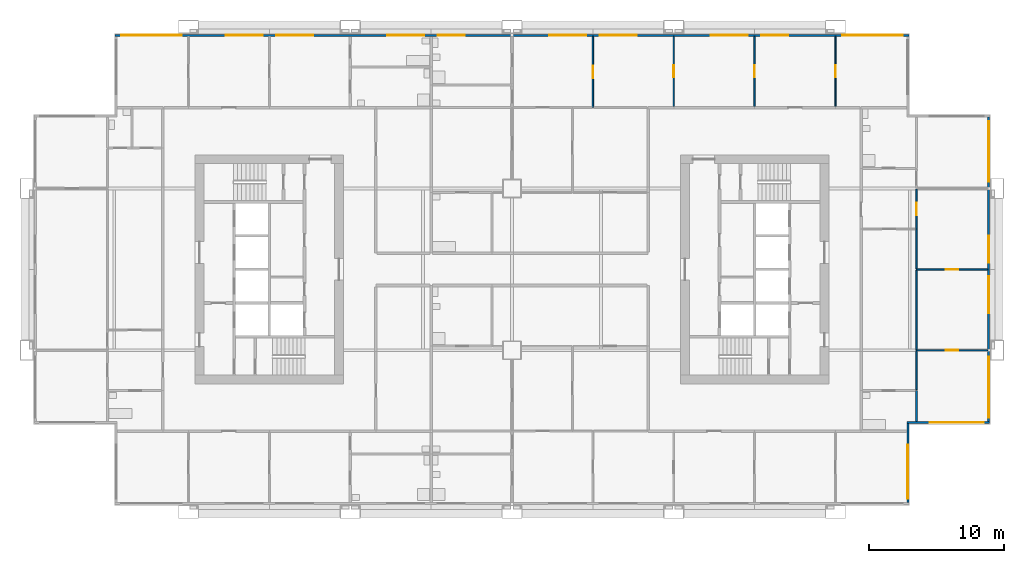
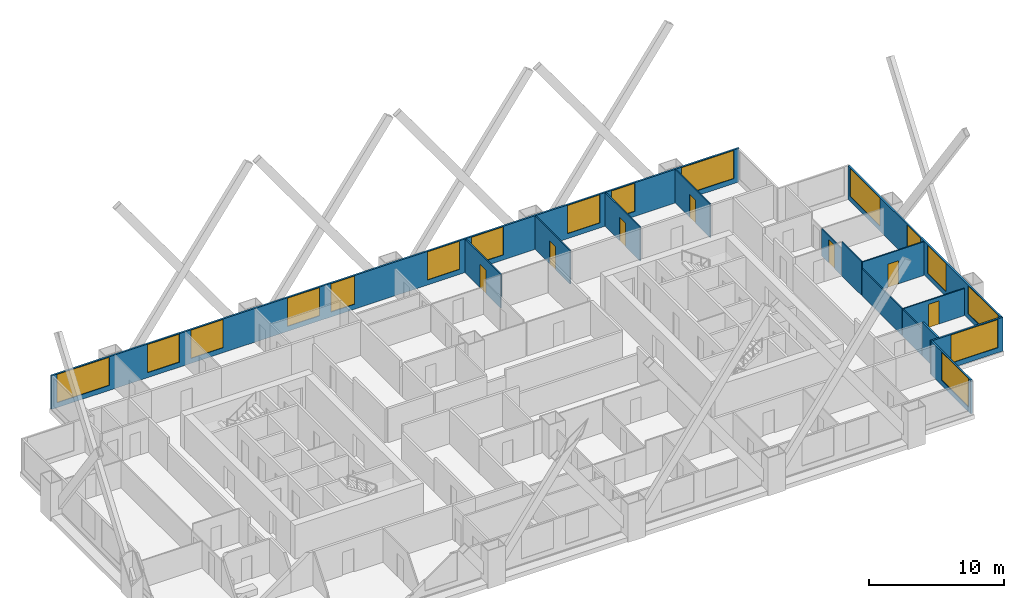
# One storey, part 8 of 11: 16 windows, 15 walls, 7 doors, 23 openings.
"""IFC4 building model written with IfcOpenShell, lengths in metres."""

from ifc_helpers import new_model, si_unit, direction, frame, frame_2d, origin, place, context, subcontext, project, spatial, rectangle, extrude, material, layer, layer_set, type_object, element, fill, save


model = new_model("IFC4")

# Units and contexts
model_context = context("Model", 3, precision=1e-05, world=origin(), true_north=direction((0.0, 1.0)))
body_context = subcontext(model_context, "Body", "Model", "MODEL_VIEW")
ifc_project = project(units=[si_unit("LENGTHUNIT", "METRE"), si_unit("AREAUNIT", "SQUARE_METRE"), si_unit("VOLUMEUNIT", "CUBIC_METRE"), si_unit("PLANEANGLEUNIT", "RADIAN"), si_unit("MASSUNIT", "GRAM", prefix="KILO")], contexts=[model_context])

# Site, building, storey
site_placement = place(None, origin())
site = spatial("IfcSite", under=ifc_project, at=site_placement, CompositionType="ELEMENT")
building_placement = place(site_placement, origin())
building = spatial("IfcBuilding", under=site, at=building_placement, Name="Kitamizu Gate Tower and Museum", CompositionType="ELEMENT")
storey_placement = place(building_placement, frame((0.0, 0.0, 113.85009765625)))
storey = spatial("IfcBuildingStorey", under=building, at=storey_placement, Name="L29", CompositionType="ELEMENT", Elevation=113.85009765625)

# Wall, opening, door
ifc_material_1 = material(Name="Gypsum board on galvanised stud")
ifc_layer_1 = layer(ifc_material_1, 0.10009765625)
ifc_layer_set_1 = layer_set([ifc_layer_1], Name="Gypsum board on galvanised stud")
wall_type_1 = type_object("IfcWallType", Name="Partition 100 NOT RATED", PredefinedType="PARTITIONING", material=ifc_layer_set_1)
wall_1_placement = place(storey_placement, frame((71.280029296875, 24.0, 0.0), z_axis=(0.0, 0.0, 1.0), x_axis=(-1.0, 0.0, 0.0)))
wall_1 = element("IfcWall", 1, at=wall_1_placement, inside=storey, type_object=wall_type_1, Name="Partition L29-068", PredefinedType="PARTITIONING", context=body_context, shape_type="SweptSolid", body=[
    extrude(rectangle(XDim=5.280029296875, YDim=0.10009765625, at=frame_2d((2.64013671875, 0.0))), origin(), (0.0, 0.0, 1.0), 2.449951171875),
])
opening_1_placement = place(wall_1_placement, frame((2.18994140625, 0.0, 0.0)))
opening_1 = element("IfcOpeningElement", 2, at=opening_1_placement, cuts=wall_1, Name="Opening L29-032", PredefinedType="OPENING", context=body_context, shape_type="SweptSolid", body=[
    extrude(rectangle(XDim=0.89990234375, YDim=2.10009765625, at=frame_2d((0.449951171875, 1.050048828125))), frame((0.0, 0.06005859375, 0.0), z_axis=(0.0, -1.0, 0.0), x_axis=(1.0, 0.0, 0.0)), (0.0, 0.0, 1.0), 0.1201171875),
])
ifc_material_2 = material(Name="Timber door set", Category="wood")
door_type = type_object("IfcDoorType", Name="Room door 900", OperationType="NOTDEFINED", PredefinedType="DOOR", material=ifc_material_2)
door_1_placement = place(opening_1_placement, origin())
door_1 = element("IfcDoor", 3, at=door_1_placement, inside=storey, type_object=door_type, Name="Door L29-032", OperationType="SINGLE_SWING_LEFT", OverallHeight=2.10009765625, OverallWidth=0.89990234375, PredefinedType="DOOR", context=body_context, shape_type="SweptSolid", body=[
    extrude(rectangle(XDim=0.89990234375, YDim=2.10009765625, at=frame_2d((0.449951171875, 1.050048828125))), frame((0.0, 0.02490234375, 0.0), z_axis=(0.0, -1.0, 0.0), x_axis=(1.0, 0.0, 0.0)), (0.0, 0.0, 1.0), 0.050048828125),
])
fill(opening_1, door_1)

# Wall
wall_2_placement = place(storey_placement, frame((66.0, 23.949951171875, 0.0), z_axis=(0.0, 0.0, 1.0), x_axis=(0.0, -1.0, 0.0)))
element("IfcWall", 4, at=wall_2_placement, inside=storey, type_object=wall_type_1, Name="Partition L29-070", PredefinedType="PARTITIONING", context=body_context, shape_type="SweptSolid", body=[
    extrude(rectangle(XDim=2.875, YDim=0.10009765625, at=frame_2d((1.4375, 0.0))), origin(), (0.0, 0.0, 1.0), 2.449951171875),
])

# Wall, opening, door
wall_3_placement = place(storey_placement, frame((71.280029296875, 30.0, 0.0), z_axis=(0.0, 0.0, 1.0), x_axis=(-1.0, 0.0, 0.0)))
wall_3 = element("IfcWall", 5, at=wall_3_placement, inside=storey, type_object=wall_type_1, Name="Partition L29-071", PredefinedType="PARTITIONING", context=body_context, shape_type="SweptSolid", body=[
    extrude(rectangle(XDim=5.280029296875, YDim=0.10009765625, at=frame_2d((2.64013671875, 0.0))), origin(), (0.0, 0.0, 1.0), 3.0498046875),
])
opening_2_placement = place(wall_3_placement, frame((2.18994140625, 0.0, 0.0)))
opening_2 = element("IfcOpeningElement", 6, at=opening_2_placement, cuts=wall_3, Name="Opening L29-030", PredefinedType="OPENING", context=body_context, shape_type="SweptSolid", body=[
    extrude(rectangle(XDim=0.89990234375, YDim=2.10009765625, at=frame_2d((0.449951171875, 1.050048828125))), frame((0.0, 0.06005859375, 0.0), z_axis=(0.0, -1.0, 0.0), x_axis=(1.0, 0.0, 0.0)), (0.0, 0.0, 1.0), 0.1201171875),
])
door_2_placement = place(opening_2_placement, origin())
door_2 = element("IfcDoor", 7, at=door_2_placement, inside=storey, type_object=door_type, Name="Door L29-030", OperationType="SINGLE_SWING_LEFT", OverallHeight=2.10009765625, OverallWidth=0.89990234375, PredefinedType="DOOR", context=body_context, shape_type="SweptSolid", body=[
    extrude(rectangle(XDim=0.89990234375, YDim=2.10009765625, at=frame_2d((0.449951171875, 1.050048828125))), frame((0.0, 0.02490234375, 0.0), z_axis=(0.0, -1.0, 0.0), x_axis=(1.0, 0.0, 0.0)), (0.0, 0.0, 1.0), 0.050048828125),
])
fill(opening_2, door_2)

# Walls
wall_4_placement = place(storey_placement, frame((66.0, 29.949951171875, 0.0), z_axis=(0.0, 0.0, 1.0), x_axis=(0.0, -1.0, 0.0)))
element("IfcWall", 8, at=wall_4_placement, inside=storey, type_object=wall_type_1, Name="Partition L29-072", PredefinedType="PARTITIONING", context=body_context, shape_type="SweptSolid", body=[
    extrude(rectangle(XDim=5.89990234375, YDim=0.10009765625, at=frame_2d((2.949951171875, 0.0))), origin(), (0.0, 0.0, 1.0), 2.449951171875),
])
wall_5_placement = place(storey_placement, frame((66.0, 33.0, 0.0), z_axis=(0.0, 0.0, 1.0), x_axis=(0.0, -1.0, 0.0)))
element("IfcWall", 9, at=wall_5_placement, inside=storey, type_object=wall_type_1, Name="Partition L29-074", PredefinedType="PARTITIONING", context=body_context, shape_type="SweptSolid", body=[
    extrude(rectangle(XDim=2.949951171875, YDim=0.10009765625, at=frame_2d((1.47509765625, 0.0))), origin(), (0.0, 0.0, 1.0), 3.0498046875),
])

# Wall, opening, door
wall_6_placement = place(storey_placement, frame((66.0, 35.949951171875, 0.0), z_axis=(0.0, 0.0, 1.0), x_axis=(0.0, -1.0, 0.0)))
wall_6 = element("IfcWall", 10, at=wall_6_placement, inside=storey, type_object=wall_type_1, Name="Partition L29-075", PredefinedType="PARTITIONING", context=body_context, shape_type="SweptSolid", body=[
    extrude(rectangle(XDim=2.949951171875, YDim=0.10009765625, at=frame_2d((1.47509765625, 0.0))), origin(), (0.0, 0.0, 1.0), 2.449951171875),
])
opening_3_placement = place(wall_6_placement, frame((1.02490234375, 0.0, 0.0)))
opening_3 = element("IfcOpeningElement", 11, at=opening_3_placement, cuts=wall_6, Name="Opening L29-027", PredefinedType="OPENING", context=body_context, shape_type="SweptSolid", body=[
    extrude(rectangle(XDim=0.89990234375, YDim=2.10009765625, at=frame_2d((0.449951171875, 1.050048828125))), frame((0.0, 0.06005859375, 0.0), z_axis=(0.0, -1.0, 0.0), x_axis=(1.0, 0.0, 0.0)), (0.0, 0.0, 1.0), 0.1201171875),
])
door_3_placement = place(opening_3_placement, origin())
door_3 = element("IfcDoor", 12, at=door_3_placement, inside=storey, type_object=door_type, Name="Door L29-027", OperationType="SINGLE_SWING_RIGHT", OverallHeight=2.10009765625, OverallWidth=0.89990234375, PredefinedType="DOOR", context=body_context, shape_type="SweptSolid", body=[
    extrude(rectangle(XDim=0.89990234375, YDim=2.10009765625, at=frame_2d((0.449951171875, 1.050048828125))), frame((0.0, 0.02490234375, 0.0), z_axis=(0.0, -1.0, 0.0), x_axis=(1.0, 0.0, 0.0)), (0.0, 0.0, 1.0), 0.050048828125),
])
fill(opening_3, door_3)

wall_7_placement = place(storey_placement, frame((42.0, 42.0, 0.0), z_axis=(0.0, 0.0, 1.0), x_axis=(0.0, 1.0, 0.0)))
wall_7 = element("IfcWall", 13, at=wall_7_placement, inside=storey, type_object=wall_type_1, Name="Partition L29-111", PredefinedType="PARTITIONING", context=body_context, shape_type="SweptSolid", body=[
    extrude(rectangle(XDim=5.280029296875, YDim=0.10009765625, at=frame_2d((2.64013671875, 0.0))), origin(), (0.0, 0.0, 1.0), 3.0498046875),
])
opening_4_placement = place(wall_7_placement, frame((2.18994140625, 0.0, 0.0)))
opening_4 = element("IfcOpeningElement", 14, at=opening_4_placement, cuts=wall_7, Name="Opening L29-043", PredefinedType="OPENING", context=body_context, shape_type="SweptSolid", body=[
    extrude(rectangle(XDim=0.89990234375, YDim=2.10009765625, at=frame_2d((0.449951171875, 1.050048828125))), frame((0.0, 0.06005859375, 0.0), z_axis=(0.0, -1.0, 0.0), x_axis=(1.0, 0.0, 0.0)), (0.0, 0.0, 1.0), 0.1201171875),
])
door_4_placement = place(opening_4_placement, origin())
door_4 = element("IfcDoor", 15, at=door_4_placement, inside=storey, type_object=door_type, Name="Door L29-043", OperationType="SINGLE_SWING_RIGHT", OverallHeight=2.10009765625, OverallWidth=0.89990234375, PredefinedType="DOOR", context=body_context, shape_type="SweptSolid", body=[
    extrude(rectangle(XDim=0.89990234375, YDim=2.10009765625, at=frame_2d((0.449951171875, 1.050048828125))), frame((0.0, 0.02490234375, 0.0), z_axis=(0.0, -1.0, 0.0), x_axis=(1.0, 0.0, 0.0)), (0.0, 0.0, 1.0), 0.050048828125),
])
fill(opening_4, door_4)

wall_8_placement = place(storey_placement, frame((48.0, 42.10009765625, 0.0), z_axis=(0.0, 0.0, 1.0), x_axis=(0.0, 1.0, 0.0)))
wall_8 = element("IfcWall", 16, at=wall_8_placement, inside=storey, type_object=wall_type_1, Name="Partition L29-114", PredefinedType="PARTITIONING", context=body_context, shape_type="SweptSolid", body=[
    extrude(rectangle(XDim=5.179931640625, YDim=0.10009765625, at=frame_2d((2.58984375, 0.0))), origin(), (0.0, 0.0, 1.0), 3.0498046875),
])
opening_5_placement = place(wall_8_placement, frame((2.139892578125, 0.0, 0.0)))
opening_5 = element("IfcOpeningElement", 17, at=opening_5_placement, cuts=wall_8, Name="Opening L29-042", PredefinedType="OPENING", context=body_context, shape_type="SweptSolid", body=[
    extrude(rectangle(XDim=0.89990234375, YDim=2.10009765625, at=frame_2d((0.449951171875, 1.050048828125))), frame((0.0, 0.06005859375, 0.0), z_axis=(0.0, -1.0, 0.0), x_axis=(1.0, 0.0, 0.0)), (0.0, 0.0, 1.0), 0.1201171875),
])
door_5_placement = place(opening_5_placement, origin())
door_5 = element("IfcDoor", 18, at=door_5_placement, inside=storey, type_object=door_type, Name="Door L29-042", OperationType="SINGLE_SWING_LEFT", OverallHeight=2.10009765625, OverallWidth=0.89990234375, PredefinedType="DOOR", context=body_context, shape_type="SweptSolid", body=[
    extrude(rectangle(XDim=0.89990234375, YDim=2.10009765625, at=frame_2d((0.449951171875, 1.050048828125))), frame((0.0, 0.02490234375, 0.0), z_axis=(0.0, -1.0, 0.0), x_axis=(1.0, 0.0, 0.0)), (0.0, 0.0, 1.0), 0.050048828125),
])
fill(opening_5, door_5)

wall_9_placement = place(storey_placement, frame((54.0, 42.10009765625, 0.0), z_axis=(0.0, 0.0, 1.0), x_axis=(0.0, 1.0, 0.0)))
wall_9 = element("IfcWall", 19, at=wall_9_placement, inside=storey, type_object=wall_type_1, Name="Partition L29-117", PredefinedType="PARTITIONING", context=body_context, shape_type="SweptSolid", body=[
    extrude(rectangle(XDim=5.179931640625, YDim=0.10009765625, at=frame_2d((2.58984375, 0.0))), origin(), (0.0, 0.0, 1.0), 3.0498046875),
])
opening_6_placement = place(wall_9_placement, frame((2.139892578125, 0.0, 0.0)))
opening_6 = element("IfcOpeningElement", 20, at=opening_6_placement, cuts=wall_9, Name="Opening L29-040", PredefinedType="OPENING", context=body_context, shape_type="SweptSolid", body=[
    extrude(rectangle(XDim=0.89990234375, YDim=2.10009765625, at=frame_2d((0.449951171875, 1.050048828125))), frame((0.0, 0.06005859375, 0.0), z_axis=(0.0, -1.0, 0.0), x_axis=(1.0, 0.0, 0.0)), (0.0, 0.0, 1.0), 0.1201171875),
])
door_6_placement = place(opening_6_placement, origin())
door_6 = element("IfcDoor", 21, at=door_6_placement, inside=storey, type_object=door_type, Name="Door L29-040", OperationType="SINGLE_SWING_LEFT", OverallHeight=2.10009765625, OverallWidth=0.89990234375, PredefinedType="DOOR", context=body_context, shape_type="SweptSolid", body=[
    extrude(rectangle(XDim=0.89990234375, YDim=2.10009765625, at=frame_2d((0.449951171875, 1.050048828125))), frame((0.0, 0.02490234375, 0.0), z_axis=(0.0, -1.0, 0.0), x_axis=(1.0, 0.0, 0.0)), (0.0, 0.0, 1.0), 0.050048828125),
])
fill(opening_6, door_6)

wall_10_placement = place(storey_placement, frame((60.0, 42.10009765625, 0.0), z_axis=(0.0, 0.0, 1.0), x_axis=(0.0, 1.0, 0.0)))
wall_10 = element("IfcWall", 22, at=wall_10_placement, inside=storey, type_object=wall_type_1, Name="Partition L29-119", PredefinedType="PARTITIONING", context=body_context, shape_type="SweptSolid", body=[
    extrude(rectangle(XDim=5.179931640625, YDim=0.10009765625, at=frame_2d((2.58984375, 0.0))), origin(), (0.0, 0.0, 1.0), 3.0498046875),
])
opening_7_placement = place(wall_10_placement, frame((2.139892578125, 0.0, 0.0)))
opening_7 = element("IfcOpeningElement", 23, at=opening_7_placement, cuts=wall_10, Name="Opening L29-041", PredefinedType="OPENING", context=body_context, shape_type="SweptSolid", body=[
    extrude(rectangle(XDim=0.89990234375, YDim=2.10009765625, at=frame_2d((0.449951171875, 1.050048828125))), frame((0.0, 0.06005859375, 0.0), z_axis=(0.0, -1.0, 0.0), x_axis=(1.0, 0.0, 0.0)), (0.0, 0.0, 1.0), 0.1201171875),
])
door_7_placement = place(opening_7_placement, frame((0.89990234375, 0.0, 0.0), x_axis=(-1.0, 0.0, 0.0)))
door_7 = element("IfcDoor", 24, at=door_7_placement, inside=storey, type_object=door_type, Name="Door L29-041", OperationType="SINGLE_SWING_LEFT", OverallHeight=2.10009765625, OverallWidth=0.89990234375, PredefinedType="DOOR", context=body_context, shape_type="SweptSolid", body=[
    extrude(rectangle(XDim=0.89990234375, YDim=2.10009765625, at=frame_2d((0.449951171875, 1.050048828125))), frame((0.0, 0.02490234375, 0.0), z_axis=(0.0, -1.0, 0.0), x_axis=(1.0, 0.0, 0.0)), (0.0, 0.0, 1.0), 0.050048828125),
])
fill(opening_7, door_7)

# Wall
ifc_material_3 = material(Name="Gypsum board on galvanised stud")
ifc_layer_2 = layer(ifc_material_3, 0.14990234375)
ifc_layer_set_2 = layer_set([ifc_layer_2], Name="Gypsum board on galvanised stud")
wall_type_2 = type_object("IfcWallType", Name="Partition 150", PredefinedType="PARTITIONING", material=ifc_layer_set_2)
wall_11_placement = place(storey_placement, frame((66.0, 21.0, 0.0), z_axis=(0.0, 0.0, 1.0), x_axis=(0.0, -1.0, 0.0)))
element("IfcWall", 25, at=wall_11_placement, inside=storey, type_object=wall_type_2, Name="Partition L29-069", PredefinedType="PARTITIONING", context=body_context, shape_type="SweptSolid", body=[
    extrude(rectangle(XDim=2.280029296875, YDim=0.14990234375, at=frame_2d((1.14013671875, 0.0))), origin(), (0.0, 0.0, 1.0), 3.0498046875),
])

# Wall, opening, window
ifc_material_4 = material(Name="Bronze anodised aluminium frame with insulated spandrel and tinted glass", Category="aluminium")
ifc_layer_3 = layer(ifc_material_4, 0.14990234375)
ifc_layer_set_3 = layer_set([ifc_layer_3], Name="Bronze anodised aluminium frame with insulated spandrel and tinted glass")
wall_type_3 = type_object("IfcWallType", Name="WINDOW WALL 150 BRONZE FRAME EI 30", PredefinedType="ELEMENTEDWALL", material=ifc_layer_set_3)
wall_12_placement = place(storey_placement, frame((65.364990234375, 12.7099609375, 0.0), z_axis=(0.0, 0.0, 1.0), x_axis=(0.0, 1.0, 0.0)))
wall_12 = element("IfcWall", 26, at=wall_12_placement, inside=storey, type_object=wall_type_3, Name="Window wall east L29", PredefinedType="ELEMENTEDWALL", context=body_context, shape_type="SweptSolid", body=[
    extrude(rectangle(XDim=5.85009765625, YDim=0.14990234375, at=frame_2d((2.925048828125, 0.0))), origin(), (0.0, 0.0, 1.0), 3.0498046875),
])
opening_8_placement = place(wall_12_placement, frame((0.2900390625, 0.0, 0.449951171875)))
opening_8 = element("IfcOpeningElement", 27, at=opening_8_placement, cuts=wall_12, Name="Opening W16", PredefinedType="OPENING", context=body_context, shape_type="SweptSolid", body=[
    extrude(rectangle(XDim=4.0, YDim=2.550048828125, at=frame_2d((2.0, 1.27490234375))), frame((0.0, 0.0849609375, 0.0), z_axis=(0.0, -1.0, 0.0), x_axis=(1.0, 0.0, 0.0)), (0.0, 0.0, 1.0), 0.169921875),
])
ifc_material_5 = material(Name="Bronze anodised aluminium frame, tinted triple glazing", Category="aluminium")
window_type_1 = type_object("IfcWindowType", Name="WINDOW 4000 x 2550 SILL 450", PartitioningType="SINGLE_PANEL", PredefinedType="WINDOW", material=ifc_material_5)
window_1_placement = place(opening_8_placement, origin())
window_1 = element("IfcWindow", 28, at=window_1_placement, inside=storey, type_object=window_type_1, Name="Window W16 L29", OverallHeight=2.550048828125, OverallWidth=4.0, PartitioningType="SINGLE_PANEL", PredefinedType="WINDOW", context=body_context, shape_type="SweptSolid", body=[
    extrude(rectangle(XDim=4.0, YDim=2.550048828125, at=frame_2d((2.0, 1.27490234375))), frame((0.0, 0.030029296875, 0.0), z_axis=(0.0, -1.0, 0.0), x_axis=(1.0, 0.0, 0.0)), (0.0, 0.0, 1.0), 0.06005859375),
])
fill(opening_8, window_1)

wall_13_placement = place(storey_placement, frame((65.2900390625, 18.635009765625, 0.0), z_axis=(0.0, 0.0, 1.0), x_axis=(1.0, 0.0, 0.0)))
wall_13 = element("IfcWall", 29, at=wall_13_placement, inside=storey, type_object=wall_type_3, Name="Window wall south L29", PredefinedType="ELEMENTEDWALL", context=body_context, shape_type="SweptSolid", body=[
    extrude(rectangle(XDim=6.14990234375, YDim=0.14990234375, at=frame_2d((3.074951171875, 0.0))), origin(), (0.0, 0.0, 1.0), 3.0498046875),
])
opening_9_placement = place(wall_13_placement, frame((1.7099609375, 0.0, 0.449951171875)))
opening_9 = element("IfcOpeningElement", 30, at=opening_9_placement, cuts=wall_13, Name="Opening W16", PredefinedType="OPENING", context=body_context, shape_type="SweptSolid", body=[
    extrude(rectangle(XDim=4.0, YDim=2.550048828125, at=frame_2d((2.0, 1.27490234375))), frame((0.0, 0.0849609375, 0.0), z_axis=(0.0, -1.0, 0.0), x_axis=(1.0, 0.0, 0.0)), (0.0, 0.0, 1.0), 0.169921875),
])
window_2_placement = place(opening_9_placement, origin())
window_2 = element("IfcWindow", 31, at=window_2_placement, inside=storey, type_object=window_type_1, Name="Window W16 L29", OverallHeight=2.550048828125, OverallWidth=4.0, PartitioningType="SINGLE_PANEL", PredefinedType="WINDOW", context=body_context, shape_type="SweptSolid", body=[
    extrude(rectangle(XDim=4.0, YDim=2.550048828125, at=frame_2d((2.0, 1.27490234375))), frame((0.0, 0.030029296875, 0.0), z_axis=(0.0, -1.0, 0.0), x_axis=(1.0, 0.0, 0.0)), (0.0, 0.0, 1.0), 0.06005859375),
])
fill(opening_9, window_2)

# Wall, openings, windows
wall_14_placement = place(storey_placement, frame((71.364990234375, 18.7099609375, 0.0), z_axis=(0.0, 0.0, 1.0), x_axis=(0.0, 1.0, 0.0)))
wall_14 = element("IfcWall", 32, at=wall_14_placement, inside=storey, type_object=wall_type_3, Name="Window wall east L29", PredefinedType="ELEMENTEDWALL", context=body_context, shape_type="SweptSolid", body=[
    extrude(rectangle(XDim=22.580078125, YDim=0.14990234375, at=frame_2d((11.2900390625, 0.0))), origin(), (0.0, 0.0, 1.0), 3.0498046875),
])
opening_10_placement = place(wall_14_placement, frame((0.2900390625, 0.0, 0.449951171875)))
opening_10 = element("IfcOpeningElement", 33, at=opening_10_placement, cuts=wall_14, Name="Opening W15", PredefinedType="OPENING", context=body_context, shape_type="SweptSolid", body=[
    extrude(rectangle(XDim=4.5, YDim=2.550048828125, at=frame_2d((2.25, 1.27490234375))), frame((0.0, 0.0849609375, 0.0), z_axis=(0.0, -1.0, 0.0), x_axis=(1.0, 0.0, 0.0)), (0.0, 0.0, 1.0), 0.169921875),
])
opening_11_placement = place(wall_14_placement, frame((8.0400390625, 0.0, 0.449951171875)))
opening_11 = element("IfcOpeningElement", 34, at=opening_11_placement, cuts=wall_14, Name="Opening W32", PredefinedType="OPENING", context=body_context, shape_type="SweptSolid", body=[
    extrude(rectangle(XDim=2.75, YDim=2.550048828125, at=frame_2d((1.375, 1.27490234375))), frame((0.0, 0.0849609375, 0.0), z_axis=(0.0, -1.0, 0.0), x_axis=(1.0, 0.0, 0.0)), (0.0, 0.0, 1.0), 0.169921875),
])
opening_12_placement = place(wall_14_placement, frame((11.7900390625, 0.0, 0.449951171875)))
opening_12 = element("IfcOpeningElement", 35, at=opening_12_placement, cuts=wall_14, Name="Opening W2", PredefinedType="OPENING", context=body_context, shape_type="SweptSolid", body=[
    extrude(rectangle(XDim=2.0, YDim=2.550048828125, at=frame_2d((1.0, 1.27490234375))), frame((0.0, 0.0849609375, 0.0), z_axis=(0.0, -1.0, 0.0), x_axis=(1.0, 0.0, 0.0)), (0.0, 0.0, 1.0), 0.169921875),
])
opening_13_placement = place(wall_14_placement, frame((17.7900390625, 0.0, 0.449951171875)))
opening_13 = element("IfcOpeningElement", 36, at=opening_13_placement, cuts=wall_14, Name="Opening W15", PredefinedType="OPENING", context=body_context, shape_type="SweptSolid", body=[
    extrude(rectangle(XDim=4.5, YDim=2.550048828125, at=frame_2d((2.25, 1.27490234375))), frame((0.0, 0.0849609375, 0.0), z_axis=(0.0, -1.0, 0.0), x_axis=(1.0, 0.0, 0.0)), (0.0, 0.0, 1.0), 0.169921875),
])
ifc_material_6 = material(Name="Bronze anodised aluminium frame, tinted triple glazing", Category="aluminium")
window_type_2 = type_object("IfcWindowType", Name="WINDOW 2000 x 2550 SILL 450", PartitioningType="SINGLE_PANEL", PredefinedType="WINDOW", material=ifc_material_6)
window_3_placement = place(opening_12_placement, origin())
window_3 = element("IfcWindow", 37, at=window_3_placement, inside=storey, type_object=window_type_2, Name="Window W2 L29", OverallHeight=2.550048828125, OverallWidth=2.0, PartitioningType="SINGLE_PANEL", PredefinedType="WINDOW", context=body_context, shape_type="SweptSolid", body=[
    extrude(rectangle(XDim=2.0, YDim=2.550048828125, at=frame_2d((1.0, 1.27490234375))), frame((0.0, 0.030029296875, 0.0), z_axis=(0.0, -1.0, 0.0), x_axis=(1.0, 0.0, 0.0)), (0.0, 0.0, 1.0), 0.06005859375),
])
fill(opening_12, window_3)
ifc_material_7 = material(Name="Bronze anodised aluminium frame, tinted triple glazing", Category="aluminium")
window_type_3 = type_object("IfcWindowType", Name="WINDOW 2750 x 2550 SILL 450", PartitioningType="SINGLE_PANEL", PredefinedType="WINDOW", material=ifc_material_7)
window_4_placement = place(opening_11_placement, origin())
window_4 = element("IfcWindow", 38, at=window_4_placement, inside=storey, type_object=window_type_3, Name="Window W32 L29", OverallHeight=2.550048828125, OverallWidth=2.75, PartitioningType="SINGLE_PANEL", PredefinedType="WINDOW", context=body_context, shape_type="SweptSolid", body=[
    extrude(rectangle(XDim=2.75, YDim=2.550048828125, at=frame_2d((1.375, 1.27490234375))), frame((0.0, 0.030029296875, 0.0), z_axis=(0.0, -1.0, 0.0), x_axis=(1.0, 0.0, 0.0)), (0.0, 0.0, 1.0), 0.06005859375),
])
fill(opening_11, window_4)
ifc_material_8 = material(Name="Bronze anodised aluminium frame, tinted triple glazing", Category="aluminium")
window_type_4 = type_object("IfcWindowType", Name="WINDOW 4500 x 2550 SILL 450", PartitioningType="SINGLE_PANEL", PredefinedType="WINDOW", material=ifc_material_8)
window_5_placement = place(opening_10_placement, origin())
window_5 = element("IfcWindow", 39, at=window_5_placement, inside=storey, type_object=window_type_4, Name="Window W15 L29", OverallHeight=2.550048828125, OverallWidth=4.5, PartitioningType="SINGLE_PANEL", PredefinedType="WINDOW", context=body_context, shape_type="SweptSolid", body=[
    extrude(rectangle(XDim=4.5, YDim=2.550048828125, at=frame_2d((2.25, 1.27490234375))), frame((0.0, 0.030029296875, 0.0), z_axis=(0.0, -1.0, 0.0), x_axis=(1.0, 0.0, 0.0)), (0.0, 0.0, 1.0), 0.06005859375),
])
fill(opening_10, window_5)
window_6_placement = place(opening_13_placement, origin())
window_6 = element("IfcWindow", 40, at=window_6_placement, inside=storey, type_object=window_type_4, Name="Window W15 L29", OverallHeight=2.550048828125, OverallWidth=4.5, PartitioningType="SINGLE_PANEL", PredefinedType="WINDOW", context=body_context, shape_type="SweptSolid", body=[
    extrude(rectangle(XDim=4.5, YDim=2.550048828125, at=frame_2d((2.25, 1.27490234375))), frame((0.0, 0.030029296875, 0.0), z_axis=(0.0, -1.0, 0.0), x_axis=(1.0, 0.0, 0.0)), (0.0, 0.0, 1.0), 0.06005859375),
])
fill(opening_13, window_6)

wall_15_placement = place(storey_placement, frame((6.56005859375, 47.364990234375, 0.0), z_axis=(0.0, 0.0, 1.0), x_axis=(1.0, 0.0, 0.0)))
wall_15 = element("IfcWall", 41, at=wall_15_placement, inside=storey, type_object=wall_type_3, Name="Window wall north L29", PredefinedType="ELEMENTEDWALL", context=body_context, shape_type="SweptSolid", body=[
    extrude(rectangle(XDim=58.8798828125, YDim=0.14990234375, at=frame_2d((29.43994140625, 0.0))), origin(), (0.0, 0.0, 1.0), 3.0498046875),
])
opening_14_placement = place(wall_15_placement, frame((0.43994140625, 0.0, 0.449951171875)))
opening_14 = element("IfcOpeningElement", 42, at=opening_14_placement, cuts=wall_15, Name="Opening W15", PredefinedType="OPENING", context=body_context, shape_type="SweptSolid", body=[
    extrude(rectangle(XDim=4.5, YDim=2.550048828125, at=frame_2d((2.25, 1.27490234375))), frame((0.0, 0.0849609375, 0.0), z_axis=(0.0, -1.0, 0.0), x_axis=(1.0, 0.0, 0.0)), (0.0, 0.0, 1.0), 0.169921875),
])
opening_15_placement = place(wall_15_placement, frame((8.18994140625, 0.0, 0.449951171875)))
opening_15 = element("IfcOpeningElement", 43, at=opening_15_placement, cuts=wall_15, Name="Opening W32", PredefinedType="OPENING", context=body_context, shape_type="SweptSolid", body=[
    extrude(rectangle(XDim=2.75, YDim=2.550048828125, at=frame_2d((1.375, 1.27490234375))), frame((0.0, 0.0849609375, 0.0), z_axis=(0.0, -1.0, 0.0), x_axis=(1.0, 0.0, 0.0)), (0.0, 0.0, 1.0), 0.169921875),
])
opening_16_placement = place(wall_15_placement, frame((11.93994140625, 0.0, 0.449951171875)))
opening_16 = element("IfcOpeningElement", 44, at=opening_16_placement, cuts=wall_15, Name="Opening W32", PredefinedType="OPENING", context=body_context, shape_type="SweptSolid", body=[
    extrude(rectangle(XDim=2.75, YDim=2.550048828125, at=frame_2d((1.375, 1.27490234375))), frame((0.0, 0.0849609375, 0.0), z_axis=(0.0, -1.0, 0.0), x_axis=(1.0, 0.0, 0.0)), (0.0, 0.0, 1.0), 0.169921875),
])
opening_17_placement = place(wall_15_placement, frame((20.18994140625, 0.0, 0.449951171875)))
opening_17 = element("IfcOpeningElement", 45, at=opening_17_placement, cuts=wall_15, Name="Opening W32", PredefinedType="OPENING", context=body_context, shape_type="SweptSolid", body=[
    extrude(rectangle(XDim=2.75, YDim=2.550048828125, at=frame_2d((1.375, 1.27490234375))), frame((0.0, 0.0849609375, 0.0), z_axis=(0.0, -1.0, 0.0), x_axis=(1.0, 0.0, 0.0)), (0.0, 0.0, 1.0), 0.169921875),
])
opening_18_placement = place(wall_15_placement, frame((23.93994140625, 0.0, 0.449951171875)))
opening_18 = element("IfcOpeningElement", 46, at=opening_18_placement, cuts=wall_15, Name="Opening W2", PredefinedType="OPENING", context=body_context, shape_type="SweptSolid", body=[
    extrude(rectangle(XDim=2.0, YDim=2.550048828125, at=frame_2d((1.0, 1.27490234375))), frame((0.0, 0.0849609375, 0.0), z_axis=(0.0, -1.0, 0.0), x_axis=(1.0, 0.0, 0.0)), (0.0, 0.0, 1.0), 0.169921875),
])
opening_19_placement = place(wall_15_placement, frame((32.18994140625, 0.0, 0.449951171875)))
opening_19 = element("IfcOpeningElement", 47, at=opening_19_placement, cuts=wall_15, Name="Opening W32", PredefinedType="OPENING", context=body_context, shape_type="SweptSolid", body=[
    extrude(rectangle(XDim=2.75, YDim=2.550048828125, at=frame_2d((1.375, 1.27490234375))), frame((0.0, 0.0849609375, 0.0), z_axis=(0.0, -1.0, 0.0), x_axis=(1.0, 0.0, 0.0)), (0.0, 0.0, 1.0), 0.169921875),
])
opening_20_placement = place(wall_15_placement, frame((35.93994140625, 0.0, 0.449951171875)))
opening_20 = element("IfcOpeningElement", 48, at=opening_20_placement, cuts=wall_15, Name="Opening W32", PredefinedType="OPENING", context=body_context, shape_type="SweptSolid", body=[
    extrude(rectangle(XDim=2.75, YDim=2.550048828125, at=frame_2d((1.375, 1.27490234375))), frame((0.0, 0.0849609375, 0.0), z_axis=(0.0, -1.0, 0.0), x_axis=(1.0, 0.0, 0.0)), (0.0, 0.0, 1.0), 0.169921875),
])
opening_21_placement = place(wall_15_placement, frame((44.18994140625, 0.0, 0.449951171875)))
opening_21 = element("IfcOpeningElement", 49, at=opening_21_placement, cuts=wall_15, Name="Opening W32", PredefinedType="OPENING", context=body_context, shape_type="SweptSolid", body=[
    extrude(rectangle(XDim=2.75, YDim=2.550048828125, at=frame_2d((1.375, 1.27490234375))), frame((0.0, 0.0849609375, 0.0), z_axis=(0.0, -1.0, 0.0), x_axis=(1.0, 0.0, 0.0)), (0.0, 0.0, 1.0), 0.169921875),
])
opening_22_placement = place(wall_15_placement, frame((47.93994140625, 0.0, 0.449951171875)))
opening_22 = element("IfcOpeningElement", 50, at=opening_22_placement, cuts=wall_15, Name="Opening W2", PredefinedType="OPENING", context=body_context, shape_type="SweptSolid", body=[
    extrude(rectangle(XDim=2.0, YDim=2.550048828125, at=frame_2d((1.0, 1.27490234375))), frame((0.0, 0.0849609375, 0.0), z_axis=(0.0, -1.0, 0.0), x_axis=(1.0, 0.0, 0.0)), (0.0, 0.0, 1.0), 0.169921875),
])
opening_23_placement = place(wall_15_placement, frame((53.93994140625, 0.0, 0.449951171875)))
opening_23 = element("IfcOpeningElement", 51, at=opening_23_placement, cuts=wall_15, Name="Opening W15", PredefinedType="OPENING", context=body_context, shape_type="SweptSolid", body=[
    extrude(rectangle(XDim=4.5, YDim=2.550048828125, at=frame_2d((2.25, 1.27490234375))), frame((0.0, 0.0849609375, 0.0), z_axis=(0.0, -1.0, 0.0), x_axis=(1.0, 0.0, 0.0)), (0.0, 0.0, 1.0), 0.169921875),
])
window_7_placement = place(opening_18_placement, origin())
window_7 = element("IfcWindow", 52, at=window_7_placement, inside=storey, type_object=window_type_2, Name="Window W2 L29", OverallHeight=2.550048828125, OverallWidth=2.0, PartitioningType="SINGLE_PANEL", PredefinedType="WINDOW", context=body_context, shape_type="SweptSolid", body=[
    extrude(rectangle(XDim=2.0, YDim=2.550048828125, at=frame_2d((1.0, 1.27490234375))), frame((0.0, 0.030029296875, 0.0), z_axis=(0.0, -1.0, 0.0), x_axis=(1.0, 0.0, 0.0)), (0.0, 0.0, 1.0), 0.06005859375),
])
fill(opening_18, window_7)
window_8_placement = place(opening_22_placement, origin())
window_8 = element("IfcWindow", 53, at=window_8_placement, inside=storey, type_object=window_type_2, Name="Window W2 L29", OverallHeight=2.550048828125, OverallWidth=2.0, PartitioningType="SINGLE_PANEL", PredefinedType="WINDOW", context=body_context, shape_type="SweptSolid", body=[
    extrude(rectangle(XDim=2.0, YDim=2.550048828125, at=frame_2d((1.0, 1.27490234375))), frame((0.0, 0.030029296875, 0.0), z_axis=(0.0, -1.0, 0.0), x_axis=(1.0, 0.0, 0.0)), (0.0, 0.0, 1.0), 0.06005859375),
])
fill(opening_22, window_8)
window_9_placement = place(opening_15_placement, origin())
window_9 = element("IfcWindow", 54, at=window_9_placement, inside=storey, type_object=window_type_3, Name="Window W32 L29", OverallHeight=2.550048828125, OverallWidth=2.75, PartitioningType="SINGLE_PANEL", PredefinedType="WINDOW", context=body_context, shape_type="SweptSolid", body=[
    extrude(rectangle(XDim=2.75, YDim=2.550048828125, at=frame_2d((1.375, 1.27490234375))), frame((0.0, 0.030029296875, 0.0), z_axis=(0.0, -1.0, 0.0), x_axis=(1.0, 0.0, 0.0)), (0.0, 0.0, 1.0), 0.06005859375),
])
fill(opening_15, window_9)
window_10_placement = place(opening_16_placement, origin())
window_10 = element("IfcWindow", 55, at=window_10_placement, inside=storey, type_object=window_type_3, Name="Window W32 L29", OverallHeight=2.550048828125, OverallWidth=2.75, PartitioningType="SINGLE_PANEL", PredefinedType="WINDOW", context=body_context, shape_type="SweptSolid", body=[
    extrude(rectangle(XDim=2.75, YDim=2.550048828125, at=frame_2d((1.375, 1.27490234375))), frame((0.0, 0.030029296875, 0.0), z_axis=(0.0, -1.0, 0.0), x_axis=(1.0, 0.0, 0.0)), (0.0, 0.0, 1.0), 0.06005859375),
])
fill(opening_16, window_10)
window_11_placement = place(opening_17_placement, origin())
window_11 = element("IfcWindow", 56, at=window_11_placement, inside=storey, type_object=window_type_3, Name="Window W32 L29", OverallHeight=2.550048828125, OverallWidth=2.75, PartitioningType="SINGLE_PANEL", PredefinedType="WINDOW", context=body_context, shape_type="SweptSolid", body=[
    extrude(rectangle(XDim=2.75, YDim=2.550048828125, at=frame_2d((1.375, 1.27490234375))), frame((0.0, 0.030029296875, 0.0), z_axis=(0.0, -1.0, 0.0), x_axis=(1.0, 0.0, 0.0)), (0.0, 0.0, 1.0), 0.06005859375),
])
fill(opening_17, window_11)
window_12_placement = place(opening_19_placement, origin())
window_12 = element("IfcWindow", 57, at=window_12_placement, inside=storey, type_object=window_type_3, Name="Window W32 L29", OverallHeight=2.550048828125, OverallWidth=2.75, PartitioningType="SINGLE_PANEL", PredefinedType="WINDOW", context=body_context, shape_type="SweptSolid", body=[
    extrude(rectangle(XDim=2.75, YDim=2.550048828125, at=frame_2d((1.375, 1.27490234375))), frame((0.0, 0.030029296875, 0.0), z_axis=(0.0, -1.0, 0.0), x_axis=(1.0, 0.0, 0.0)), (0.0, 0.0, 1.0), 0.06005859375),
])
fill(opening_19, window_12)
window_13_placement = place(opening_20_placement, origin())
window_13 = element("IfcWindow", 58, at=window_13_placement, inside=storey, type_object=window_type_3, Name="Window W32 L29", OverallHeight=2.550048828125, OverallWidth=2.75, PartitioningType="SINGLE_PANEL", PredefinedType="WINDOW", context=body_context, shape_type="SweptSolid", body=[
    extrude(rectangle(XDim=2.75, YDim=2.550048828125, at=frame_2d((1.375, 1.27490234375))), frame((0.0, 0.030029296875, 0.0), z_axis=(0.0, -1.0, 0.0), x_axis=(1.0, 0.0, 0.0)), (0.0, 0.0, 1.0), 0.06005859375),
])
fill(opening_20, window_13)
window_14_placement = place(opening_21_placement, origin())
window_14 = element("IfcWindow", 59, at=window_14_placement, inside=storey, type_object=window_type_3, Name="Window W32 L29", OverallHeight=2.550048828125, OverallWidth=2.75, PartitioningType="SINGLE_PANEL", PredefinedType="WINDOW", context=body_context, shape_type="SweptSolid", body=[
    extrude(rectangle(XDim=2.75, YDim=2.550048828125, at=frame_2d((1.375, 1.27490234375))), frame((0.0, 0.030029296875, 0.0), z_axis=(0.0, -1.0, 0.0), x_axis=(1.0, 0.0, 0.0)), (0.0, 0.0, 1.0), 0.06005859375),
])
fill(opening_21, window_14)
window_15_placement = place(opening_14_placement, origin())
window_15 = element("IfcWindow", 60, at=window_15_placement, inside=storey, type_object=window_type_4, Name="Window W15 L29", OverallHeight=2.550048828125, OverallWidth=4.5, PartitioningType="SINGLE_PANEL", PredefinedType="WINDOW", context=body_context, shape_type="SweptSolid", body=[
    extrude(rectangle(XDim=4.5, YDim=2.550048828125, at=frame_2d((2.25, 1.27490234375))), frame((0.0, 0.030029296875, 0.0), z_axis=(0.0, -1.0, 0.0), x_axis=(1.0, 0.0, 0.0)), (0.0, 0.0, 1.0), 0.06005859375),
])
fill(opening_14, window_15)
window_16_placement = place(opening_23_placement, origin())
window_16 = element("IfcWindow", 61, at=window_16_placement, inside=storey, type_object=window_type_4, Name="Window W15 L29", OverallHeight=2.550048828125, OverallWidth=4.5, PartitioningType="SINGLE_PANEL", PredefinedType="WINDOW", context=body_context, shape_type="SweptSolid", body=[
    extrude(rectangle(XDim=4.5, YDim=2.550048828125, at=frame_2d((2.25, 1.27490234375))), frame((0.0, 0.030029296875, 0.0), z_axis=(0.0, -1.0, 0.0), x_axis=(1.0, 0.0, 0.0)), (0.0, 0.0, 1.0), 0.06005859375),
])
fill(opening_23, window_16)

save(model, "model.ifc")
